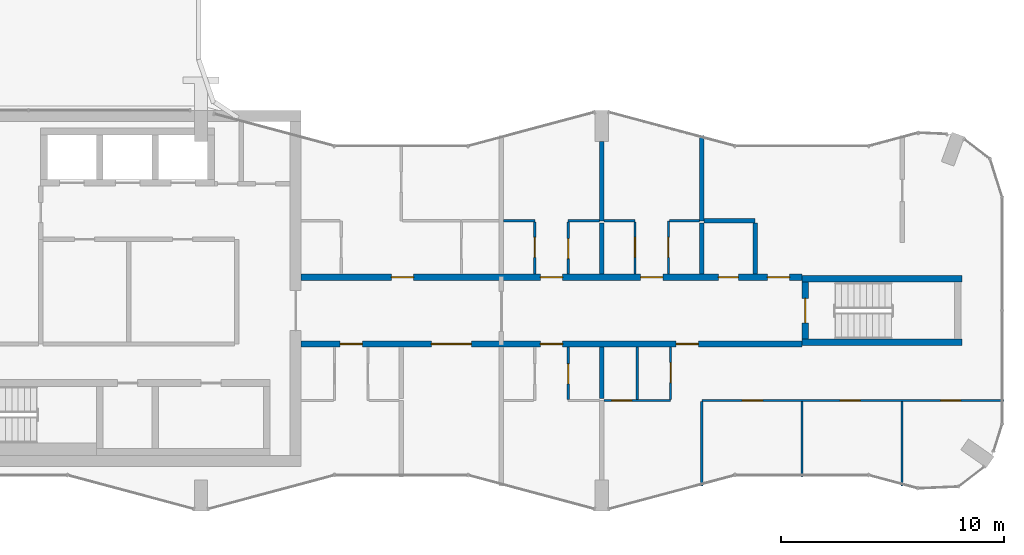
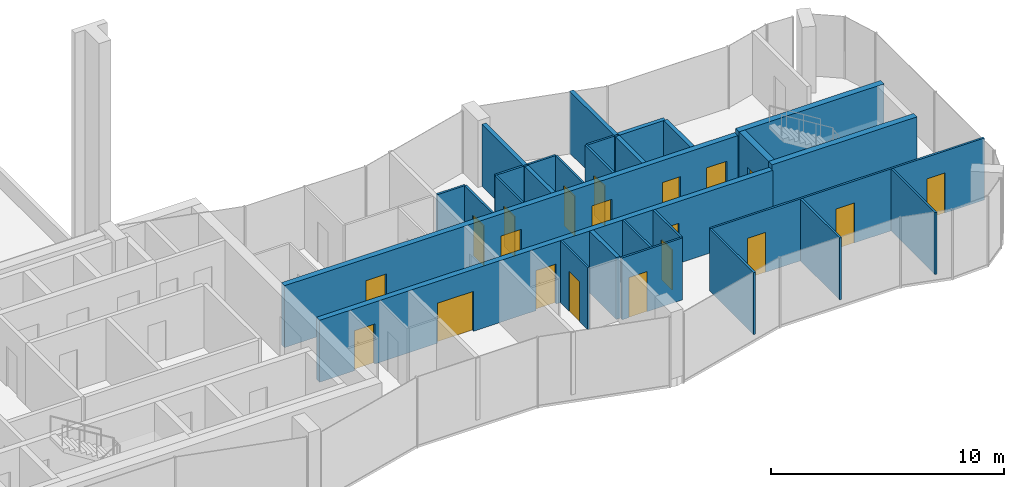
# One storey, part 9 of 13: 28 walls, 20 doors, 20 openings.
"""IFC4 building model written with IfcOpenShell, lengths in metres."""

from ifc_helpers import new_model, si_unit, direction, frame, frame_2d, origin, place, context, subcontext, project, spatial, rectangle, extrude, material, layer, layer_set, type_object, element, fill, save


model = new_model("IFC4")

# Units and contexts
model_context = context("Model", 3, precision=1e-05, world=origin(), true_north=direction((0.0, 1.0)))
body_context = subcontext(model_context, "Body", "Model", "MODEL_VIEW")
ifc_project = project(units=[si_unit("LENGTHUNIT", "METRE"), si_unit("AREAUNIT", "SQUARE_METRE"), si_unit("VOLUMEUNIT", "CUBIC_METRE"), si_unit("PLANEANGLEUNIT", "RADIAN"), si_unit("MASSUNIT", "GRAM", prefix="KILO")], contexts=[model_context])

# Site, building, storey
site_placement = place(None, origin())
site = spatial("IfcSite", under=ifc_project, at=site_placement, CompositionType="ELEMENT")
building_placement = place(site_placement, origin())
building = spatial("IfcBuilding", under=site, at=building_placement, Name="Plateau Cross Towers", CompositionType="ELEMENT")
storey_placement = place(building_placement, frame((0.0, 0.0, 229.39990234375)))
storey = spatial("IfcBuildingStorey", under=building, at=storey_placement, Name="L60", CompositionType="ELEMENT", Elevation=229.39990234375)

# Wall, openings, doors
ifc_material_1 = material(Name="Concrete C60/75", Category="concrete")
ifc_layer_1 = layer(ifc_material_1, 0.27490234375)
ifc_layer_set_1 = layer_set([ifc_layer_1], Name="Concrete C60/75")
wall_type_1 = type_object("IfcWallType", Name="Corridor wall 275", PredefinedType="SHEAR", material=ifc_layer_set_1)
wall_1_placement = place(storey_placement, frame((22.5, 7.5, 0.0), z_axis=(0.0, 0.0, 1.0), x_axis=(1.0, 0.0, 0.0)))
wall_1 = element("IfcWall", 1, at=wall_1_placement, inside=storey, type_object=wall_type_1, Name="A-cw-S1@L60", PredefinedType="SHEAR", context=body_context, shape_type="SweptSolid", body=[
    extrude(rectangle(XDim=22.5, YDim=0.27490234375, at=frame_2d((11.25, 0.0))), origin(), (0.0, 0.0, 1.0), 3.25),
])
opening_1_placement = place(wall_1_placement, frame((1.75, 0.0, 0.0)))
opening_1 = element("IfcOpeningElement", 2, at=opening_1_placement, cuts=wall_1, Name="Opening 60-01", PredefinedType="OPENING", context=body_context, shape_type="SweptSolid", body=[
    extrude(rectangle(XDim=1.0, YDim=2.10009765625, at=frame_2d((0.5, 1.050048828125))), frame((0.0, 0.1474609375, 0.0), z_axis=(0.0, -1.0, 0.0), x_axis=(1.0, 0.0, 0.0)), (0.0, 0.0, 1.0), 0.294921875),
])
opening_2_placement = place(wall_1_placement, frame((5.85009765625, 0.0, 0.0)))
opening_2 = element("IfcOpeningElement", 3, at=opening_2_placement, cuts=wall_1, Name="Opening 60-02", PredefinedType="OPENING", context=body_context, shape_type="SweptSolid", body=[
    extrude(rectangle(XDim=1.800048828125, YDim=2.10009765625, at=frame_2d((0.89990234375, 1.050048828125))), frame((0.0, 0.1474609375, 0.0), z_axis=(0.0, -1.0, 0.0), x_axis=(1.0, 0.0, 0.0)), (0.0, 0.0, 1.0), 0.294921875),
])
opening_3_placement = place(wall_1_placement, frame((10.75, 0.0, 0.0)))
opening_3 = element("IfcOpeningElement", 4, at=opening_3_placement, cuts=wall_1, Name="Opening 60-03", PredefinedType="OPENING", context=body_context, shape_type="SweptSolid", body=[
    extrude(rectangle(XDim=1.0, YDim=2.10009765625, at=frame_2d((0.5, 1.050048828125))), frame((0.0, 0.1474609375, 0.0), z_axis=(0.0, -1.0, 0.0), x_axis=(1.0, 0.0, 0.0)), (0.0, 0.0, 1.0), 0.294921875),
])
opening_4_placement = place(wall_1_placement, frame((16.85009765625, 0.0, 0.0)))
opening_4 = element("IfcOpeningElement", 5, at=opening_4_placement, cuts=wall_1, Name="Opening 60-04", PredefinedType="OPENING", context=body_context, shape_type="SweptSolid", body=[
    extrude(rectangle(XDim=1.0, YDim=2.10009765625, at=frame_2d((0.5, 1.050048828125))), frame((0.0, 0.1474609375, 0.0), z_axis=(0.0, -1.0, 0.0), x_axis=(1.0, 0.0, 0.0)), (0.0, 0.0, 1.0), 0.294921875),
])
ifc_material_2 = material(Name="Timber, fire-resisting leaf", Category="wood")
door_type_1 = type_object("IfcDoorType", Name="Flat entrance door 1000", OperationType="NOTDEFINED", PredefinedType="DOOR", material=ifc_material_2)
door_1_placement = place(opening_1_placement, origin())
door_1 = element("IfcDoor", 6, at=door_1_placement, inside=storey, type_object=door_type_1, Name="Door 60-01", OperationType="SINGLE_SWING_LEFT", OverallHeight=2.10009765625, OverallWidth=1.0, PredefinedType="DOOR", context=body_context, shape_type="SweptSolid", body=[
    extrude(rectangle(XDim=1.0, YDim=2.10009765625, at=frame_2d((0.5, 1.050048828125))), frame((0.0, 0.02490234375, 0.0), z_axis=(0.0, -1.0, 0.0), x_axis=(1.0, 0.0, 0.0)), (0.0, 0.0, 1.0), 0.050048828125),
])
fill(opening_1, door_1)
door_2_placement = place(opening_3_placement, origin())
door_2 = element("IfcDoor", 7, at=door_2_placement, inside=storey, type_object=door_type_1, Name="Door 60-03", OperationType="SINGLE_SWING_LEFT", OverallHeight=2.10009765625, OverallWidth=1.0, PredefinedType="DOOR", context=body_context, shape_type="SweptSolid", body=[
    extrude(rectangle(XDim=1.0, YDim=2.10009765625, at=frame_2d((0.5, 1.050048828125))), frame((0.0, 0.02490234375, 0.0), z_axis=(0.0, -1.0, 0.0), x_axis=(1.0, 0.0, 0.0)), (0.0, 0.0, 1.0), 0.050048828125),
])
fill(opening_3, door_2)
door_3_placement = place(opening_4_placement, origin())
door_3 = element("IfcDoor", 8, at=door_3_placement, inside=storey, type_object=door_type_1, Name="Door 60-04", OperationType="SINGLE_SWING_RIGHT", OverallHeight=2.10009765625, OverallWidth=1.0, PredefinedType="DOOR", context=body_context, shape_type="SweptSolid", body=[
    extrude(rectangle(XDim=1.0, YDim=2.10009765625, at=frame_2d((0.5, 1.050048828125))), frame((0.0, 0.02490234375, 0.0), z_axis=(0.0, -1.0, 0.0), x_axis=(1.0, 0.0, 0.0)), (0.0, 0.0, 1.0), 0.050048828125),
])
fill(opening_4, door_3)
ifc_material_3 = material(Name="Timber, fire-resisting leaves", Category="wood")
door_type_2 = type_object("IfcDoorType", Name="Flat floor fire door pair 1800", OperationType="NOTDEFINED", PredefinedType="DOOR", material=ifc_material_3)
door_4_placement = place(opening_2_placement, origin())
door_4 = element("IfcDoor", 9, at=door_4_placement, inside=storey, type_object=door_type_2, Name="Door 60-02", OperationType="SINGLE_SWING_LEFT", OverallHeight=2.10009765625, OverallWidth=1.800048828125, PredefinedType="DOOR", context=body_context, shape_type="SweptSolid", body=[
    extrude(rectangle(XDim=1.800048828125, YDim=2.10009765625, at=frame_2d((0.89990234375, 1.050048828125))), frame((0.0, 0.02490234375, 0.0), z_axis=(0.0, -1.0, 0.0), x_axis=(1.0, 0.0, 0.0)), (0.0, 0.0, 1.0), 0.050048828125),
])
fill(opening_2, door_4)

wall_2_placement = place(storey_placement, frame((22.5, 10.5, 0.0), z_axis=(0.0, 0.0, 1.0), x_axis=(1.0, 0.0, 0.0)))
wall_2 = element("IfcWall", 10, at=wall_2_placement, inside=storey, type_object=wall_type_1, Name="A-cw-S2@L60", PredefinedType="SHEAR", context=body_context, shape_type="SweptSolid", body=[
    extrude(rectangle(XDim=22.5, YDim=0.27490234375, at=frame_2d((11.25, 0.0))), origin(), (0.0, 0.0, 1.0), 3.25),
])
opening_5_placement = place(wall_2_placement, frame((4.050048828125, 0.0, 0.0)))
opening_5 = element("IfcOpeningElement", 11, at=opening_5_placement, cuts=wall_2, Name="Opening 60-05", PredefinedType="OPENING", context=body_context, shape_type="SweptSolid", body=[
    extrude(rectangle(XDim=1.0, YDim=2.10009765625, at=frame_2d((0.5, 1.050048828125))), frame((0.0, 0.1474609375, 0.0), z_axis=(0.0, -1.0, 0.0), x_axis=(1.0, 0.0, 0.0)), (0.0, 0.0, 1.0), 0.294921875),
])
opening_6_placement = place(wall_2_placement, frame((10.75, 0.0, 0.0)))
opening_6 = element("IfcOpeningElement", 12, at=opening_6_placement, cuts=wall_2, Name="Opening 60-06", PredefinedType="OPENING", context=body_context, shape_type="SweptSolid", body=[
    extrude(rectangle(XDim=1.0, YDim=2.10009765625, at=frame_2d((0.5, 1.050048828125))), frame((0.0, 0.1474609375, 0.0), z_axis=(0.0, -1.0, 0.0), x_axis=(1.0, 0.0, 0.0)), (0.0, 0.0, 1.0), 0.294921875),
])
opening_7_placement = place(wall_2_placement, frame((15.25, 0.0, 0.0)))
opening_7 = element("IfcOpeningElement", 13, at=opening_7_placement, cuts=wall_2, Name="Opening 60-07", PredefinedType="OPENING", context=body_context, shape_type="SweptSolid", body=[
    extrude(rectangle(XDim=1.0, YDim=2.10009765625, at=frame_2d((0.5, 1.050048828125))), frame((0.0, 0.1474609375, 0.0), z_axis=(0.0, -1.0, 0.0), x_axis=(1.0, 0.0, 0.0)), (0.0, 0.0, 1.0), 0.294921875),
])
opening_8_placement = place(wall_2_placement, frame((18.75, 0.0, 0.0)))
opening_8 = element("IfcOpeningElement", 14, at=opening_8_placement, cuts=wall_2, Name="Opening 60-08", PredefinedType="OPENING", context=body_context, shape_type="SweptSolid", body=[
    extrude(rectangle(XDim=0.89990234375, YDim=2.10009765625, at=frame_2d((0.449951171875, 1.050048828125))), frame((0.0, 0.1474609375, 0.0), z_axis=(0.0, -1.0, 0.0), x_axis=(1.0, 0.0, 0.0)), (0.0, 0.0, 1.0), 0.294921875),
])
opening_9_placement = place(wall_2_placement, frame((20.949951171875, 0.0, 0.0)))
opening_9 = element("IfcOpeningElement", 15, at=opening_9_placement, cuts=wall_2, Name="Opening 60-09", PredefinedType="OPENING", context=body_context, shape_type="SweptSolid", body=[
    extrude(rectangle(XDim=1.0, YDim=2.10009765625, at=frame_2d((0.5, 1.050048828125))), frame((0.0, 0.1474609375, 0.0), z_axis=(0.0, -1.0, 0.0), x_axis=(1.0, 0.0, 0.0)), (0.0, 0.0, 1.0), 0.294921875),
])
door_5_placement = place(opening_5_placement, origin())
door_5 = element("IfcDoor", 16, at=door_5_placement, inside=storey, type_object=door_type_1, Name="Door 60-05", OperationType="SINGLE_SWING_LEFT", OverallHeight=2.10009765625, OverallWidth=1.0, PredefinedType="DOOR", context=body_context, shape_type="SweptSolid", body=[
    extrude(rectangle(XDim=1.0, YDim=2.10009765625, at=frame_2d((0.5, 1.050048828125))), frame((0.0, 0.02490234375, 0.0), z_axis=(0.0, -1.0, 0.0), x_axis=(1.0, 0.0, 0.0)), (0.0, 0.0, 1.0), 0.050048828125),
])
fill(opening_5, door_5)
door_6_placement = place(opening_6_placement, origin())
door_6 = element("IfcDoor", 17, at=door_6_placement, inside=storey, type_object=door_type_1, Name="Door 60-06", OperationType="SINGLE_SWING_LEFT", OverallHeight=2.10009765625, OverallWidth=1.0, PredefinedType="DOOR", context=body_context, shape_type="SweptSolid", body=[
    extrude(rectangle(XDim=1.0, YDim=2.10009765625, at=frame_2d((0.5, 1.050048828125))), frame((0.0, 0.02490234375, 0.0), z_axis=(0.0, -1.0, 0.0), x_axis=(1.0, 0.0, 0.0)), (0.0, 0.0, 1.0), 0.050048828125),
])
fill(opening_6, door_6)
door_7_placement = place(opening_7_placement, origin())
door_7 = element("IfcDoor", 18, at=door_7_placement, inside=storey, type_object=door_type_1, Name="Door 60-07", OperationType="SINGLE_SWING_RIGHT", OverallHeight=2.10009765625, OverallWidth=1.0, PredefinedType="DOOR", context=body_context, shape_type="SweptSolid", body=[
    extrude(rectangle(XDim=1.0, YDim=2.10009765625, at=frame_2d((0.5, 1.050048828125))), frame((0.0, 0.02490234375, 0.0), z_axis=(0.0, -1.0, 0.0), x_axis=(1.0, 0.0, 0.0)), (0.0, 0.0, 1.0), 0.050048828125),
])
fill(opening_7, door_7)
door_8_placement = place(opening_9_placement, origin())
door_8 = element("IfcDoor", 19, at=door_8_placement, inside=storey, type_object=door_type_1, Name="Door 60-09", OperationType="SINGLE_SWING_RIGHT", OverallHeight=2.10009765625, OverallWidth=1.0, PredefinedType="DOOR", context=body_context, shape_type="SweptSolid", body=[
    extrude(rectangle(XDim=1.0, YDim=2.10009765625, at=frame_2d((0.5, 1.050048828125))), frame((0.0, 0.02490234375, 0.0), z_axis=(0.0, -1.0, 0.0), x_axis=(1.0, 0.0, 0.0)), (0.0, 0.0, 1.0), 0.050048828125),
])
fill(opening_9, door_8)
door_type_3 = type_object("IfcDoorType", Name="Flat floor service door 900", OperationType="NOTDEFINED", PredefinedType="DOOR", material=ifc_material_2)
door_9_placement = place(opening_8_placement, origin())
door_9 = element("IfcDoor", 20, at=door_9_placement, inside=storey, type_object=door_type_3, Name="Door 60-08", OperationType="SINGLE_SWING_RIGHT", OverallHeight=2.10009765625, OverallWidth=0.89990234375, PredefinedType="DOOR", context=body_context, shape_type="SweptSolid", body=[
    extrude(rectangle(XDim=0.89990234375, YDim=2.10009765625, at=frame_2d((0.449951171875, 1.050048828125))), frame((0.0, 0.02490234375, 0.0), z_axis=(0.0, -1.0, 0.0), x_axis=(1.0, 0.0, 0.0)), (0.0, 0.0, 1.0), 0.050048828125),
])
fill(opening_8, door_9)

ifc_material_4 = material(Name="Gypsum board on steel studs", Category="steel")
ifc_layer_2 = layer(ifc_material_4, 0.10009765625)
ifc_layer_set_2 = layer_set([ifc_layer_2], Name="Gypsum board on steel studs")
wall_type_2 = type_object("IfcWallType", Name="Flat partition 100", PredefinedType="PARTITIONING", material=ifc_layer_set_2)
wall_3_placement = place(storey_placement, frame((54.080078125, 4.96240234375, 0.0), z_axis=(0.0, 0.0, 1.0), x_axis=(-1.0, 0.0, 0.0)))
wall_3 = element("IfcWall", 21, at=wall_3_placement, inside=storey, type_object=wall_type_2, Name="Partition wall", PredefinedType="PARTITIONING", context=body_context, shape_type="SweptSolid", body=[
    extrude(rectangle(XDim=13.580078125, YDim=0.10009765625, at=frame_2d((6.7900390625, 0.0))), origin(), (0.0, 0.0, 1.0), 3.25),
])
opening_10_placement = place(wall_3_placement, frame((10.85009765625, 0.0, 0.0)))
opening_10 = element("IfcOpeningElement", 22, at=opening_10_placement, cuts=wall_3, Name="Opening 60-18", PredefinedType="OPENING", context=body_context, shape_type="SweptSolid", body=[
    extrude(rectangle(XDim=0.89990234375, YDim=2.10009765625, at=frame_2d((0.449951171875, 1.050048828125))), frame((0.0, 0.06005859375, 0.0), z_axis=(0.0, -1.0, 0.0), x_axis=(1.0, 0.0, 0.0)), (0.0, 0.0, 1.0), 0.1201171875),
])
opening_11_placement = place(wall_3_placement, frame((6.449951171875, 0.0, 0.0)))
opening_11 = element("IfcOpeningElement", 23, at=opening_11_placement, cuts=wall_3, Name="Opening 60-19", PredefinedType="OPENING", context=body_context, shape_type="SweptSolid", body=[
    extrude(rectangle(XDim=0.89990234375, YDim=2.10009765625, at=frame_2d((0.449951171875, 1.050048828125))), frame((0.0, 0.06005859375, 0.0), z_axis=(0.0, -1.0, 0.0), x_axis=(1.0, 0.0, 0.0)), (0.0, 0.0, 1.0), 0.1201171875),
])
opening_12_placement = place(wall_3_placement, frame((1.949951171875, 0.0, 0.0)))
opening_12 = element("IfcOpeningElement", 24, at=opening_12_placement, cuts=wall_3, Name="Opening 60-20", PredefinedType="OPENING", context=body_context, shape_type="SweptSolid", body=[
    extrude(rectangle(XDim=0.89990234375, YDim=2.10009765625, at=frame_2d((0.449951171875, 1.050048828125))), frame((0.0, 0.06005859375, 0.0), z_axis=(0.0, -1.0, 0.0), x_axis=(1.0, 0.0, 0.0)), (0.0, 0.0, 1.0), 0.1201171875),
])
ifc_material_5 = material(Name="Timber leaf", Category="wood")
door_type_4 = type_object("IfcDoorType", Name="Flat room door 900", OperationType="NOTDEFINED", PredefinedType="DOOR", material=ifc_material_5)
door_10_placement = place(opening_10_placement, origin())
door_10 = element("IfcDoor", 25, at=door_10_placement, inside=storey, type_object=door_type_4, Name="Door 60-18", OperationType="SINGLE_SWING_RIGHT", OverallHeight=2.10009765625, OverallWidth=0.89990234375, PredefinedType="DOOR", context=body_context, shape_type="SweptSolid", body=[
    extrude(rectangle(XDim=0.89990234375, YDim=2.10009765625, at=frame_2d((0.449951171875, 1.050048828125))), frame((0.0, 0.02490234375, 0.0), z_axis=(0.0, -1.0, 0.0), x_axis=(1.0, 0.0, 0.0)), (0.0, 0.0, 1.0), 0.050048828125),
])
fill(opening_10, door_10)
door_11_placement = place(opening_11_placement, origin())
door_11 = element("IfcDoor", 26, at=door_11_placement, inside=storey, type_object=door_type_4, Name="Door 60-19", OperationType="SINGLE_SWING_RIGHT", OverallHeight=2.10009765625, OverallWidth=0.89990234375, PredefinedType="DOOR", context=body_context, shape_type="SweptSolid", body=[
    extrude(rectangle(XDim=0.89990234375, YDim=2.10009765625, at=frame_2d((0.449951171875, 1.050048828125))), frame((0.0, 0.02490234375, 0.0), z_axis=(0.0, -1.0, 0.0), x_axis=(1.0, 0.0, 0.0)), (0.0, 0.0, 1.0), 0.050048828125),
])
fill(opening_11, door_11)
door_12_placement = place(opening_12_placement, origin())
door_12 = element("IfcDoor", 27, at=door_12_placement, inside=storey, type_object=door_type_4, Name="Door 60-20", OperationType="SINGLE_SWING_LEFT", OverallHeight=2.10009765625, OverallWidth=0.89990234375, PredefinedType="DOOR", context=body_context, shape_type="SweptSolid", body=[
    extrude(rectangle(XDim=0.89990234375, YDim=2.10009765625, at=frame_2d((0.449951171875, 1.050048828125))), frame((0.0, 0.02490234375, 0.0), z_axis=(0.0, -1.0, 0.0), x_axis=(1.0, 0.0, 0.0)), (0.0, 0.0, 1.0), 0.050048828125),
])
fill(opening_12, door_12)

# Wall, opening, door
wall_4_placement = place(storey_placement, frame((36.10009765625, 4.96240234375, 0.0), z_axis=(0.0, 0.0, 1.0), x_axis=(1.0, 0.0, 0.0)))
wall_4 = element("IfcWall", 28, at=wall_4_placement, inside=storey, type_object=wall_type_2, Name="Partition wall", PredefinedType="PARTITIONING", context=body_context, shape_type="SweptSolid", body=[
    extrude(rectangle(XDim=3.0, YDim=0.10009765625, at=frame_2d((1.5, 0.0))), origin(), (0.0, 0.0, 1.0), 3.25),
])
opening_13_placement = place(wall_4_placement, frame((0.35009765625, 0.0, 0.0)))
opening_13 = element("IfcOpeningElement", 29, at=opening_13_placement, cuts=wall_4, Name="Opening 60-16", PredefinedType="OPENING", context=body_context, shape_type="SweptSolid", body=[
    extrude(rectangle(XDim=0.89990234375, YDim=2.10009765625, at=frame_2d((0.449951171875, 1.050048828125))), frame((0.0, 0.06005859375, 0.0), z_axis=(0.0, -1.0, 0.0), x_axis=(1.0, 0.0, 0.0)), (0.0, 0.0, 1.0), 0.1201171875),
])
door_13_placement = place(opening_13_placement, origin())
door_13 = element("IfcDoor", 30, at=door_13_placement, inside=storey, type_object=door_type_4, Name="Door 60-16", OperationType="SINGLE_SWING_LEFT", OverallHeight=2.10009765625, OverallWidth=0.89990234375, PredefinedType="DOOR", context=body_context, shape_type="SweptSolid", body=[
    extrude(rectangle(XDim=0.89990234375, YDim=2.10009765625, at=frame_2d((0.449951171875, 1.050048828125))), frame((0.0, 0.02490234375, 0.0), z_axis=(0.0, -1.0, 0.0), x_axis=(1.0, 0.0, 0.0)), (0.0, 0.0, 1.0), 0.050048828125),
])
fill(opening_13, door_13)

# Walls
for number, where, z_axis, x_axis, name in (
    (31, (33.0, 13.03759765625, 0.0), (0.0, 0.0, 1.0), (-1.0, 0.0, 0.0), "Partition wall"),
    (32, (35.89990234375, 13.03759765625, 0.0), (0.0, 0.0, 1.0), (-1.0, 0.0, 0.0), "Partition wall"),
    (33, (37.5, 13.03759765625, 0.0), (0.0, 0.0, 1.0), (-1.0, 0.0, 0.0), "Partition wall"),
):
    element("IfcWall", number, at=place(storey_placement, frame(where, z_axis=z_axis, x_axis=x_axis)), inside=storey, type_object=wall_type_2, Name=name, PredefinedType="PARTITIONING", context=body_context, shape_type="SweptSolid", body=[
        extrude(rectangle(XDim=1.39990234375, YDim=0.10009765625, at=frame_2d((0.699951171875, 0.0))), origin(), (0.0, 0.0, 1.0), 3.25),
    ])
wall_5_placement = place(storey_placement, frame((40.39990234375, 13.03759765625, 0.0), z_axis=(0.0, 0.0, 1.0), x_axis=(-1.0, 0.0, 0.0)))
element("IfcWall", 34, at=wall_5_placement, inside=storey, type_object=wall_type_2, Name="Partition wall", PredefinedType="PARTITIONING", context=body_context, shape_type="SweptSolid", body=[
    extrude(rectangle(XDim=1.349853515625, YDim=0.10009765625, at=frame_2d((0.6748046875, 0.0))), origin(), (0.0, 0.0, 1.0), 3.25),
])

# Wall, opening, door
wall_6_placement = place(storey_placement, frame((33.0, 10.637451171875, 0.0), z_axis=(0.0, 0.0, 1.0), x_axis=(0.0, 1.0, 0.0)))
wall_6 = element("IfcWall", 35, at=wall_6_placement, inside=storey, type_object=wall_type_2, Name="Partition wall", PredefinedType="PARTITIONING", context=body_context, shape_type="SweptSolid", body=[
    extrude(rectangle(XDim=2.35009765625, YDim=0.10009765625, at=frame_2d((1.175048828125, 0.0))), origin(), (0.0, 0.0, 1.0), 3.25),
])
opening_14_placement = place(wall_6_placement, frame((0.75, 0.0, 0.0)))
opening_14 = element("IfcOpeningElement", 36, at=opening_14_placement, cuts=wall_6, Name="Opening 60-24", PredefinedType="OPENING", context=body_context, shape_type="SweptSolid", body=[
    extrude(rectangle(XDim=0.89990234375, YDim=2.10009765625, at=frame_2d((0.449951171875, 1.050048828125))), frame((0.0, 0.06005859375, 0.0), z_axis=(0.0, -1.0, 0.0), x_axis=(1.0, 0.0, 0.0)), (0.0, 0.0, 1.0), 0.1201171875),
])
door_14_placement = place(opening_14_placement, origin())
door_14 = element("IfcDoor", 37, at=door_14_placement, inside=storey, type_object=door_type_4, Name="Door 60-24", OperationType="SINGLE_SWING_RIGHT", OverallHeight=2.10009765625, OverallWidth=0.89990234375, PredefinedType="DOOR", context=body_context, shape_type="SweptSolid", body=[
    extrude(rectangle(XDim=0.89990234375, YDim=2.10009765625, at=frame_2d((0.449951171875, 1.050048828125))), frame((0.0, 0.02490234375, 0.0), z_axis=(0.0, -1.0, 0.0), x_axis=(1.0, 0.0, 0.0)), (0.0, 0.0, 1.0), 0.050048828125),
])
fill(opening_14, door_14)

wall_7_placement = place(storey_placement, frame((34.5, 7.362548828125, 0.0), z_axis=(0.0, 0.0, 1.0), x_axis=(0.0, -1.0, 0.0)))
wall_7 = element("IfcWall", 38, at=wall_7_placement, inside=storey, type_object=wall_type_2, Name="Partition wall", PredefinedType="PARTITIONING", context=body_context, shape_type="SweptSolid", body=[
    extrude(rectangle(XDim=2.35009765625, YDim=0.10009765625, at=frame_2d((1.175048828125, 0.0))), origin(), (0.0, 0.0, 1.0), 3.25),
])
opening_15_placement = place(wall_7_placement, frame((0.75, 0.0, 0.0)))
opening_15 = element("IfcOpeningElement", 39, at=opening_15_placement, cuts=wall_7, Name="Opening 60-15", PredefinedType="OPENING", context=body_context, shape_type="SweptSolid", body=[
    extrude(rectangle(XDim=0.89990234375, YDim=2.10009765625, at=frame_2d((0.449951171875, 1.050048828125))), frame((0.0, 0.06005859375, 0.0), z_axis=(0.0, -1.0, 0.0), x_axis=(1.0, 0.0, 0.0)), (0.0, 0.0, 1.0), 0.1201171875),
])
door_15_placement = place(opening_15_placement, origin())
door_15 = element("IfcDoor", 40, at=door_15_placement, inside=storey, type_object=door_type_4, Name="Door 60-15", OperationType="SINGLE_SWING_RIGHT", OverallHeight=2.10009765625, OverallWidth=0.89990234375, PredefinedType="DOOR", context=body_context, shape_type="SweptSolid", body=[
    extrude(rectangle(XDim=0.89990234375, YDim=2.10009765625, at=frame_2d((0.449951171875, 1.050048828125))), frame((0.0, 0.02490234375, 0.0), z_axis=(0.0, -1.0, 0.0), x_axis=(1.0, 0.0, 0.0)), (0.0, 0.0, 1.0), 0.050048828125),
])
fill(opening_15, door_15)

wall_8_placement = place(storey_placement, frame((34.5, 12.987548828125, 0.0), z_axis=(0.0, 0.0, 1.0), x_axis=(0.0, -1.0, 0.0)))
wall_8 = element("IfcWall", 41, at=wall_8_placement, inside=storey, type_object=wall_type_2, Name="Partition wall", PredefinedType="PARTITIONING", context=body_context, shape_type="SweptSolid", body=[
    extrude(rectangle(XDim=2.35009765625, YDim=0.10009765625, at=frame_2d((1.175048828125, 0.0))), origin(), (0.0, 0.0, 1.0), 3.25),
])
opening_16_placement = place(wall_8_placement, frame((0.75, 0.0, 0.0)))
opening_16 = element("IfcOpeningElement", 42, at=opening_16_placement, cuts=wall_8, Name="Opening 60-25", PredefinedType="OPENING", context=body_context, shape_type="SweptSolid", body=[
    extrude(rectangle(XDim=0.89990234375, YDim=2.10009765625, at=frame_2d((0.449951171875, 1.050048828125))), frame((0.0, 0.06005859375, 0.0), z_axis=(0.0, -1.0, 0.0), x_axis=(1.0, 0.0, 0.0)), (0.0, 0.0, 1.0), 0.1201171875),
])
door_16_placement = place(opening_16_placement, origin())
door_16 = element("IfcDoor", 43, at=door_16_placement, inside=storey, type_object=door_type_4, Name="Door 60-25", OperationType="SINGLE_SWING_RIGHT", OverallHeight=2.10009765625, OverallWidth=0.89990234375, PredefinedType="DOOR", context=body_context, shape_type="SweptSolid", body=[
    extrude(rectangle(XDim=0.89990234375, YDim=2.10009765625, at=frame_2d((0.449951171875, 1.050048828125))), frame((0.0, 0.02490234375, 0.0), z_axis=(0.0, -1.0, 0.0), x_axis=(1.0, 0.0, 0.0)), (0.0, 0.0, 1.0), 0.050048828125),
])
fill(opening_16, door_16)

wall_9_placement = place(storey_placement, frame((37.5, 10.637451171875, 0.0), z_axis=(0.0, 0.0, 1.0), x_axis=(0.0, 1.0, 0.0)))
wall_9 = element("IfcWall", 44, at=wall_9_placement, inside=storey, type_object=wall_type_2, Name="Partition wall", PredefinedType="PARTITIONING", context=body_context, shape_type="SweptSolid", body=[
    extrude(rectangle(XDim=2.35009765625, YDim=0.10009765625, at=frame_2d((1.175048828125, 0.0))), origin(), (0.0, 0.0, 1.0), 3.25),
])
opening_17_placement = place(wall_9_placement, frame((0.75, 0.0, 0.0)))
opening_17 = element("IfcOpeningElement", 45, at=opening_17_placement, cuts=wall_9, Name="Opening 60-26", PredefinedType="OPENING", context=body_context, shape_type="SweptSolid", body=[
    extrude(rectangle(XDim=0.89990234375, YDim=2.10009765625, at=frame_2d((0.449951171875, 1.050048828125))), frame((0.0, 0.06005859375, 0.0), z_axis=(0.0, -1.0, 0.0), x_axis=(1.0, 0.0, 0.0)), (0.0, 0.0, 1.0), 0.1201171875),
])
door_17_placement = place(opening_17_placement, origin())
door_17 = element("IfcDoor", 46, at=door_17_placement, inside=storey, type_object=door_type_4, Name="Door 60-26", OperationType="SINGLE_SWING_RIGHT", OverallHeight=2.10009765625, OverallWidth=0.89990234375, PredefinedType="DOOR", context=body_context, shape_type="SweptSolid", body=[
    extrude(rectangle(XDim=0.89990234375, YDim=2.10009765625, at=frame_2d((0.449951171875, 1.050048828125))), frame((0.0, 0.02490234375, 0.0), z_axis=(0.0, -1.0, 0.0), x_axis=(1.0, 0.0, 0.0)), (0.0, 0.0, 1.0), 0.050048828125),
])
fill(opening_17, door_17)

# Wall
wall_10_placement = place(storey_placement, frame((37.60009765625, 5.012451171875, 0.0), z_axis=(0.0, 0.0, 1.0), x_axis=(0.0, 1.0, 0.0)))
element("IfcWall", 47, at=wall_10_placement, inside=storey, type_object=wall_type_2, Name="Partition wall", PredefinedType="PARTITIONING", context=body_context, shape_type="SweptSolid", body=[
    extrude(rectangle(XDim=2.35009765625, YDim=0.10009765625, at=frame_2d((1.175048828125, 0.0))), origin(), (0.0, 0.0, 1.0), 3.25),
])

# Wall, opening, door
wall_11_placement = place(storey_placement, frame((39.0, 13.03759765625, 0.0), z_axis=(0.0, 0.0, 1.0), x_axis=(0.0, -1.0, 0.0)))
wall_11 = element("IfcWall", 48, at=wall_11_placement, inside=storey, type_object=wall_type_2, Name="Partition wall", PredefinedType="PARTITIONING", context=body_context, shape_type="SweptSolid", body=[
    extrude(rectangle(XDim=2.400146484375, YDim=0.10009765625, at=frame_2d((1.2001953125, 0.0))), origin(), (0.0, 0.0, 1.0), 3.25),
])
opening_18_placement = place(wall_11_placement, frame((0.75, 0.0, 0.0)))
opening_18 = element("IfcOpeningElement", 49, at=opening_18_placement, cuts=wall_11, Name="Opening 60-27", PredefinedType="OPENING", context=body_context, shape_type="SweptSolid", body=[
    extrude(rectangle(XDim=0.89990234375, YDim=2.10009765625, at=frame_2d((0.449951171875, 1.050048828125))), frame((0.0, 0.06005859375, 0.0), z_axis=(0.0, -1.0, 0.0), x_axis=(1.0, 0.0, 0.0)), (0.0, 0.0, 1.0), 0.1201171875),
])
door_18_placement = place(opening_18_placement, origin())
door_18 = element("IfcDoor", 50, at=door_18_placement, inside=storey, type_object=door_type_4, Name="Door 60-27", OperationType="SINGLE_SWING_LEFT", OverallHeight=2.10009765625, OverallWidth=0.89990234375, PredefinedType="DOOR", context=body_context, shape_type="SweptSolid", body=[
    extrude(rectangle(XDim=0.89990234375, YDim=2.10009765625, at=frame_2d((0.449951171875, 1.050048828125))), frame((0.0, 0.02490234375, 0.0), z_axis=(0.0, -1.0, 0.0), x_axis=(1.0, 0.0, 0.0)), (0.0, 0.0, 1.0), 0.050048828125),
])
fill(opening_18, door_18)

wall_12_placement = place(storey_placement, frame((39.10009765625, 5.012451171875, 0.0), z_axis=(0.0, 0.0, 1.0), x_axis=(0.0, 1.0, 0.0)))
wall_12 = element("IfcWall", 51, at=wall_12_placement, inside=storey, type_object=wall_type_2, Name="Partition wall", PredefinedType="PARTITIONING", context=body_context, shape_type="SweptSolid", body=[
    extrude(rectangle(XDim=2.35009765625, YDim=0.10009765625, at=frame_2d((1.175048828125, 0.0))), origin(), (0.0, 0.0, 1.0), 3.25),
])
opening_19_placement = place(wall_12_placement, frame((0.75, 0.0, 0.0)))
opening_19 = element("IfcOpeningElement", 52, at=opening_19_placement, cuts=wall_12, Name="Opening 60-17", PredefinedType="OPENING", context=body_context, shape_type="SweptSolid", body=[
    extrude(rectangle(XDim=0.89990234375, YDim=2.10009765625, at=frame_2d((0.449951171875, 1.050048828125))), frame((0.0, 0.06005859375, 0.0), z_axis=(0.0, -1.0, 0.0), x_axis=(1.0, 0.0, 0.0)), (0.0, 0.0, 1.0), 0.1201171875),
])
door_19_placement = place(opening_19_placement, origin())
door_19 = element("IfcDoor", 53, at=door_19_placement, inside=storey, type_object=door_type_4, Name="Door 60-17", OperationType="SINGLE_SWING_RIGHT", OverallHeight=2.10009765625, OverallWidth=0.89990234375, PredefinedType="DOOR", context=body_context, shape_type="SweptSolid", body=[
    extrude(rectangle(XDim=0.89990234375, YDim=2.10009765625, at=frame_2d((0.449951171875, 1.050048828125))), frame((0.0, 0.02490234375, 0.0), z_axis=(0.0, -1.0, 0.0), x_axis=(1.0, 0.0, 0.0)), (0.0, 0.0, 1.0), 0.050048828125),
])
fill(opening_19, door_19)

# Walls
wall_13_placement = place(storey_placement, frame((40.5, 4.91259765625, 0.0), z_axis=(0.0, 0.0, 1.0), x_axis=(0.0, -1.0, 0.0)))
element("IfcWall", 54, at=wall_13_placement, inside=storey, type_object=wall_type_2, Name="Partition wall", PredefinedType="PARTITIONING", context=body_context, shape_type="SweptSolid", body=[
    extrude(rectangle(XDim=3.790283203125, YDim=0.10009765625, at=frame_2d((1.89501953125, 0.0))), origin(), (0.0, 0.0, 1.0), 3.25),
])
wall_14_placement = place(storey_placement, frame((45.0, 1.52685546875, 0.0), z_axis=(0.0, 0.0, 1.0), x_axis=(0.0, 1.0, 0.0)))
element("IfcWall", 55, at=wall_14_placement, inside=storey, type_object=wall_type_2, Name="Partition wall", PredefinedType="PARTITIONING", context=body_context, shape_type="SweptSolid", body=[
    extrude(rectangle(XDim=3.3857421875, YDim=0.10009765625, at=frame_2d((1.69287109375, 0.0))), origin(), (0.0, 0.0, 1.0), 3.25),
])
wall_15_placement = place(storey_placement, frame((49.5, 1.122314453125, 0.0), z_axis=(0.0, 0.0, 1.0), x_axis=(0.0, 1.0, 0.0)))
element("IfcWall", 56, at=wall_15_placement, inside=storey, type_object=wall_type_2, Name="Partition wall", PredefinedType="PARTITIONING", context=body_context, shape_type="SweptSolid", body=[
    extrude(rectangle(XDim=3.790283203125, YDim=0.10009765625, at=frame_2d((1.89501953125, 0.0))), origin(), (0.0, 0.0, 1.0), 3.25),
])
ifc_material_6 = material(Name="Gypsum board on steel studs, two layers each side", Category="steel")
ifc_layer_3 = layer(ifc_material_6, 0.199951171875)
ifc_layer_set_3 = layer_set([ifc_layer_3], Name="Gypsum board on steel studs, two layers each side")
wall_type_3 = type_object("IfcWallType", Name="Flat party wall 200", PredefinedType="PARTITIONING", material=ifc_layer_set_3)
wall_16_placement = place(storey_placement, frame((42.89990234375, 13.03759765625, 0.0), z_axis=(0.0, 0.0, 1.0), x_axis=(-1.0, 0.0, 0.0)))
element("IfcWall", 57, at=wall_16_placement, inside=storey, type_object=wall_type_3, Name="Party wall", PredefinedType="PARTITIONING", context=body_context, shape_type="SweptSolid", body=[
    extrude(rectangle(XDim=2.2998046875, YDim=0.199951171875, at=frame_2d((1.14990234375, 0.0))), origin(), (0.0, 0.0, 1.0), 3.25),
])
wall_17_placement = place(storey_placement, frame((36.0, 16.60009765625, 0.0), z_axis=(0.0, 0.0, 1.0), x_axis=(0.0, -1.0, 0.0)))
element("IfcWall", 58, at=wall_17_placement, inside=storey, type_object=wall_type_3, Name="Party wall", PredefinedType="PARTITIONING", context=body_context, shape_type="SweptSolid", body=[
    extrude(rectangle(XDim=3.5625, YDim=0.199951171875, at=frame_2d((1.78125, 0.0))), origin(), (0.0, 0.0, 1.0), 3.25),
])
for number, where, z_axis, x_axis, name in (
    (59, (36.0, 5.0625, 0.0), (0.0, 0.0, 1.0), (0.0, 1.0, 0.0), "Party wall"),
    (60, (36.0, 10.637451171875, 0.0), (0.0, 0.0, 1.0), (0.0, 1.0, 0.0), "Party wall"),
):
    element("IfcWall", number, at=place(storey_placement, frame(where, z_axis=z_axis, x_axis=x_axis)), inside=storey, type_object=wall_type_3, Name=name, PredefinedType="PARTITIONING", context=body_context, shape_type="SweptSolid", body=[
        extrude(rectangle(XDim=2.300048828125, YDim=0.199951171875, at=frame_2d((1.14990234375, 0.0))), origin(), (0.0, 0.0, 1.0), 3.25),
    ])
wall_18_placement = place(storey_placement, frame((40.5, 16.877685546875, 0.0), z_axis=(0.0, 0.0, 1.0), x_axis=(0.0, -1.0, 0.0)))
element("IfcWall", 61, at=wall_18_placement, inside=storey, type_object=wall_type_3, Name="Party wall", PredefinedType="PARTITIONING", context=body_context, shape_type="SweptSolid", body=[
    extrude(rectangle(XDim=3.840087890625, YDim=0.199951171875, at=frame_2d((1.919921875, 0.0))), origin(), (0.0, 0.0, 1.0), 3.25),
])
for number, where, z_axis, x_axis, name in (
    (62, (40.5, 10.637451171875, 0.0), (0.0, 0.0, 1.0), (0.0, 1.0, 0.0), "Party wall"),
    (63, (42.89990234375, 10.637451171875, 0.0), (0.0, 0.0, 1.0), (0.0, 1.0, 0.0), "Party wall"),
):
    element("IfcWall", number, at=place(storey_placement, frame(where, z_axis=z_axis, x_axis=x_axis)), inside=storey, type_object=wall_type_3, Name=name, PredefinedType="PARTITIONING", context=body_context, shape_type="SweptSolid", body=[
        extrude(rectangle(XDim=2.300048828125, YDim=0.199951171875, at=frame_2d((1.14990234375, 0.0))), origin(), (0.0, 0.0, 1.0), 3.25),
    ])

# Wall, opening, door
ifc_layer_4 = layer(ifc_material_1, 0.300048828125)
ifc_layer_set_4 = layer_set([ifc_layer_4], Name="Concrete C60/75")
wall_type_4 = type_object("IfcWallType", Name="Stair tower wall 300", PredefinedType="SHEAR", material=ifc_layer_set_4)
wall_19_placement = place(storey_placement, frame((45.14990234375, 7.72509765625, 0.0), z_axis=(0.0, 0.0, 1.0), x_axis=(0.0, 1.0, 0.0)))
wall_19 = element("IfcWall", 64, at=wall_19_placement, inside=storey, type_object=wall_type_4, Name="A-end-E-W@L60", PredefinedType="SHEAR", context=body_context, shape_type="SweptSolid", body=[
    extrude(rectangle(XDim=2.5498046875, YDim=0.300048828125, at=frame_2d((1.27490234375, 0.0))), origin(), (0.0, 0.0, 1.0), 3.5),
])
opening_20_placement = place(wall_19_placement, frame((0.72509765625, 0.0, 0.0)))
opening_20 = element("IfcOpeningElement", 65, at=opening_20_placement, cuts=wall_19, Name="Opening SD", PredefinedType="OPENING", context=body_context, shape_type="SweptSolid", body=[
    extrude(rectangle(XDim=1.10009765625, YDim=2.10009765625, at=frame_2d((0.550048828125, 1.050048828125))), frame((0.0, 0.159912109375, 0.0), z_axis=(0.0, -1.0, 0.0), x_axis=(1.0, 0.0, 0.0)), (0.0, 0.0, 1.0), 0.320068359375),
])
ifc_material_7 = material(Name="Steel, fire-resisting leaf", Category="steel")
door_type_5 = type_object("IfcDoorType", Name="Stair door 1100", OperationType="NOTDEFINED", PredefinedType="DOOR", material=ifc_material_7)
door_20_placement = place(opening_20_placement, origin())
door_20 = element("IfcDoor", 66, at=door_20_placement, inside=storey, type_object=door_type_5, Name="Stair door SD", OperationType="SINGLE_SWING_LEFT", OverallHeight=2.10009765625, OverallWidth=1.10009765625, PredefinedType="DOOR", context=body_context, shape_type="SweptSolid", body=[
    extrude(rectangle(XDim=1.10009765625, YDim=2.10009765625, at=frame_2d((0.550048828125, 1.050048828125))), frame((0.0, 0.02490234375, 0.0), z_axis=(0.0, -1.0, 0.0), x_axis=(1.0, 0.0, 0.0)), (0.0, 0.0, 1.0), 0.050048828125),
])
fill(opening_20, door_20)

# Walls
for number, where, z_axis, x_axis, name in (
    (67, (45.0, 7.574951171875, 0.0), (0.0, 0.0, 1.0), (1.0, 0.0, 0.0), "A-end-E-S@L60"),
    (68, (45.0, 10.425048828125, 0.0), (0.0, 0.0, 1.0), (1.0, 0.0, 0.0), "A-end-E-N@L60"),
):
    element("IfcWall", number, at=place(storey_placement, frame(where, z_axis=z_axis, x_axis=x_axis)), inside=storey, type_object=wall_type_4, Name=name, PredefinedType="SHEAR", context=body_context, shape_type="SweptSolid", body=[
        extrude(rectangle(XDim=7.199951171875, YDim=0.300048828125, at=frame_2d((3.60009765625, 0.0))), origin(), (0.0, 0.0, 1.0), 3.5),
    ])

save(model, "model.ifc")
